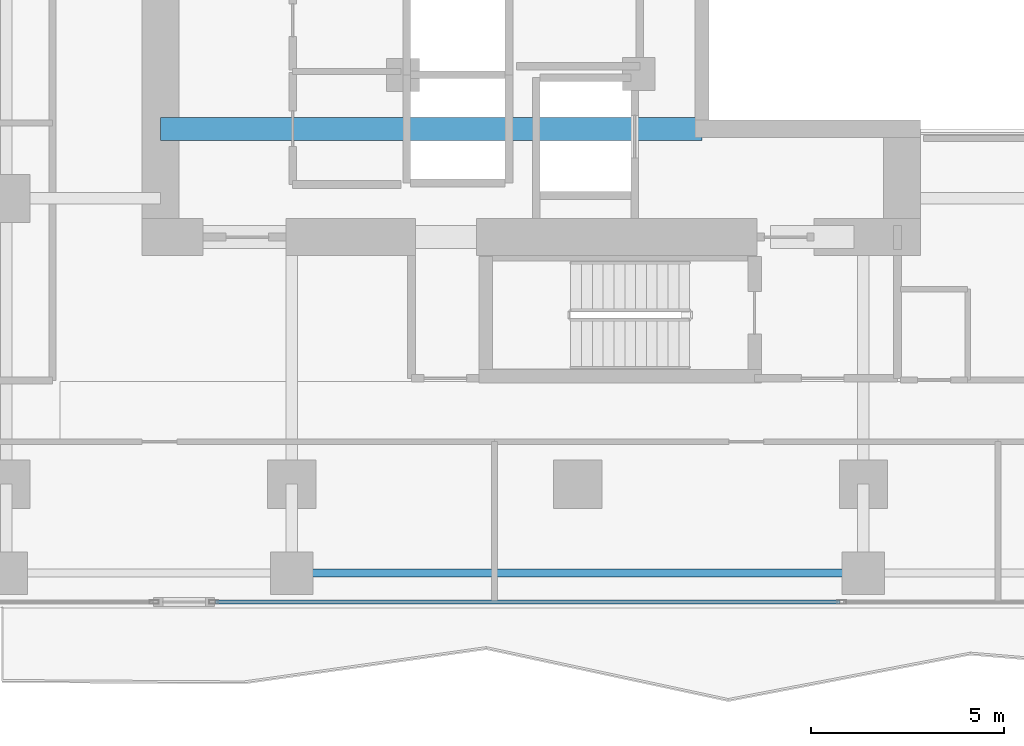
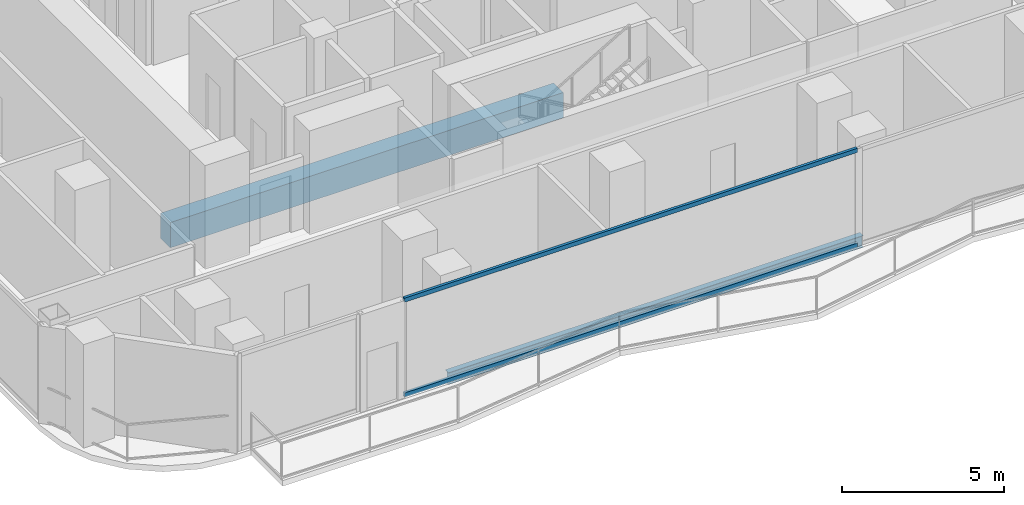
# One storey, part 3 of 27: 2 beams, 2 members, 1 element without a shape of its own.
"""IFC4 building model written with IfcOpenShell, lengths in metres."""

from ifc_helpers import new_model, si_unit, direction, frame, origin, origin_2d, place, context, subcontext, project, spatial, rectangle, hollow_rectangle, i_section, extrude, material, layer, layer_set, material_profile, profile_set, type_object, element, aggregate, save


model = new_model("IFC4")

# Units and contexts
model_context = context("Model", 3, precision=1e-05, world=origin(), true_north=direction((0.0, 1.0)))
body_context = subcontext(model_context, "Body", "Model", "MODEL_VIEW")
ifc_project = project(units=[si_unit("LENGTHUNIT", "METRE"), si_unit("AREAUNIT", "SQUARE_METRE"), si_unit("VOLUMEUNIT", "CUBIC_METRE"), si_unit("PLANEANGLEUNIT", "RADIAN"), si_unit("MASSUNIT", "GRAM", prefix="KILO")], contexts=[model_context])

# Site, building, storey
site_placement = place(None, origin())
site = spatial("IfcSite", under=ifc_project, at=site_placement, CompositionType="ELEMENT")
building_placement = place(site_placement, origin())
building = spatial("IfcBuilding", under=site, at=building_placement, Name="Khorvyn Point Tower", CompositionType="ELEMENT")
storey_placement = place(building_placement, frame((0.0, 0.0, 129.0)))
storey = spatial("IfcBuildingStorey", under=building, at=storey_placement, Name="L32", CompositionType="ELEMENT", Elevation=129.0)

# Curtain wall, members
ifc_material_1 = material(Name="Anodised aluminium 6063-T6 and laminated Low-E glass", Category="aluminium")
ifc_layer = layer(ifc_material_1, 0.18994140625)
ifc_layer_set = layer_set([ifc_layer], Name="Stick-Built Acoustic Curtain Wall CW-SYS-03")
curtain_wall_type = type_object("IfcCurtainWallType", Name="Stick-Built Acoustic Curtain Wall CW-SYS-03", PredefinedType="NOTDEFINED", material=ifc_layer_set)
curtain_wall_placement = place(storey_placement, origin())
curtain_wall = element("IfcCurtainWall", 1, at=curtain_wall_placement, inside=storey, type_object=curtain_wall_type, Name="Curtain Wall", PredefinedType="NOTDEFINED")
ifc_material_2 = material(Name="Anodised aluminium 6063-T6", Category="aluminium")
ifc_material_profile_1 = material_profile(ifc_material_2, hollow_rectangle(XDim=0.10009765625, YDim=0.159912109375, WallThickness=0.00439453125, at=origin_2d()))
ifc_profile_set_1 = profile_set([ifc_material_profile_1], Name="Anodised aluminium 6063-T6 ALU-TRN-100x160")
member_type = type_object("IfcMemberType", Name="Anodised Aluminium 6063-T6 Transom ALU-TRN-100x160", PredefinedType="USERDEFINED", material=ifc_profile_set_1)
member_1_placement = place(storey_placement, frame((6.78857421875, -17.85009765625, 0.050048828125), z_axis=(-1.0, 0.0, 0.0), x_axis=(0.0, -1.0, 0.0)))
member_1 = element("IfcMember", 2, at=member_1_placement, type_object=member_type, Name="Transom", ObjectType="TRANSOM", PredefinedType="USERDEFINED", context=body_context, shape_type="SweptSolid", body=[
    extrude(hollow_rectangle(XDim=0.10009765625, YDim=0.159912109375, WallThickness=0.00439453125, at=origin_2d()), origin(), (0.0, 0.0, 1.0), 16.16162109375),
])
member_2_placement = place(storey_placement, frame((6.78857421875, -17.85009765625, 3.6298828125), z_axis=(-1.0, 0.0, 0.0), x_axis=(0.0, -1.0, 0.0)))
member_2 = element("IfcMember", 3, at=member_2_placement, type_object=member_type, Name="Transom", ObjectType="TRANSOM", PredefinedType="USERDEFINED", context=body_context, shape_type="SweptSolid", body=[
    extrude(hollow_rectangle(XDim=0.10009765625, YDim=0.159912109375, WallThickness=0.00439453125, at=origin_2d()), origin(), (0.0, 0.0, 1.0), 16.16162109375),
])
aggregate(curtain_wall, [member_1, member_2])

# Beams
ifc_material_3 = material(Name="Concrete C50/60", Category="concrete")
ifc_material_profile_2 = material_profile(ifc_material_3, rectangle(XDim=0.60009765625, YDim=0.949951171875, at=origin_2d()))
ifc_profile_set_2 = profile_set([ifc_material_profile_2], Name="Concrete C50/60 RC600x950")
beam_type_1 = type_object("IfcBeamType", Name="Concrete C50/60 Beam RC600x950", PredefinedType="BEAM", material=ifc_profile_set_2)
beam_1_placement = place(storey_placement, frame((-10.800048828125, -5.60009765625, -0.695068359375), z_axis=(1.0, 0.0, 0.0), x_axis=(0.0, 1.0, 0.0)))
element("IfcBeam", 4, at=beam_1_placement, inside=storey, type_object=beam_type_1, Name="L32 Core Internal Tie Girder S", PredefinedType="BEAM", context=body_context, shape_type="SweptSolid", body=[
    extrude(rectangle(XDim=0.60009765625, YDim=0.949951171875, at=origin_2d()), origin(), (0.0, 0.0, 1.0), 14.02001953125),
])
ifc_material_4 = material(Name="Steel S355", Category="steel")
ifc_material_profile_3 = material_profile(ifc_material_4, i_section(OverallWidth=0.199951171875, OverallDepth=0.449951171875, WebThickness=0.009033203125, FlangeThickness=0.013916015625, at=origin_2d()))
ifc_profile_set_3 = profile_set([ifc_material_profile_3], Name="Steel S355 H450x200x9x14")
beam_type_2 = type_object("IfcBeamType", Name="Steel S355 Spandrel H450x200x9x14", PredefinedType="SPANDREL", material=ifc_profile_set_3)
beam_2_placement = place(storey_placement, frame((-7.39990234375, -17.10009765625, -0.445068359375), z_axis=(1.0, 0.0, 0.0), x_axis=(0.0, 1.0, 0.0)))
element("IfcBeam", 5, at=beam_2_placement, inside=storey, type_object=beam_type_2, Name="Beam", PredefinedType="SPANDREL", context=body_context, shape_type="SweptSolid", body=[
    extrude(i_section(OverallWidth=0.199951171875, OverallDepth=0.449951171875, WebThickness=0.009033203125, FlangeThickness=0.013916015625, at=origin_2d()), origin(), (0.0, 0.0, 1.0), 14.7998046875),
])

save(model, "model.ifc")
